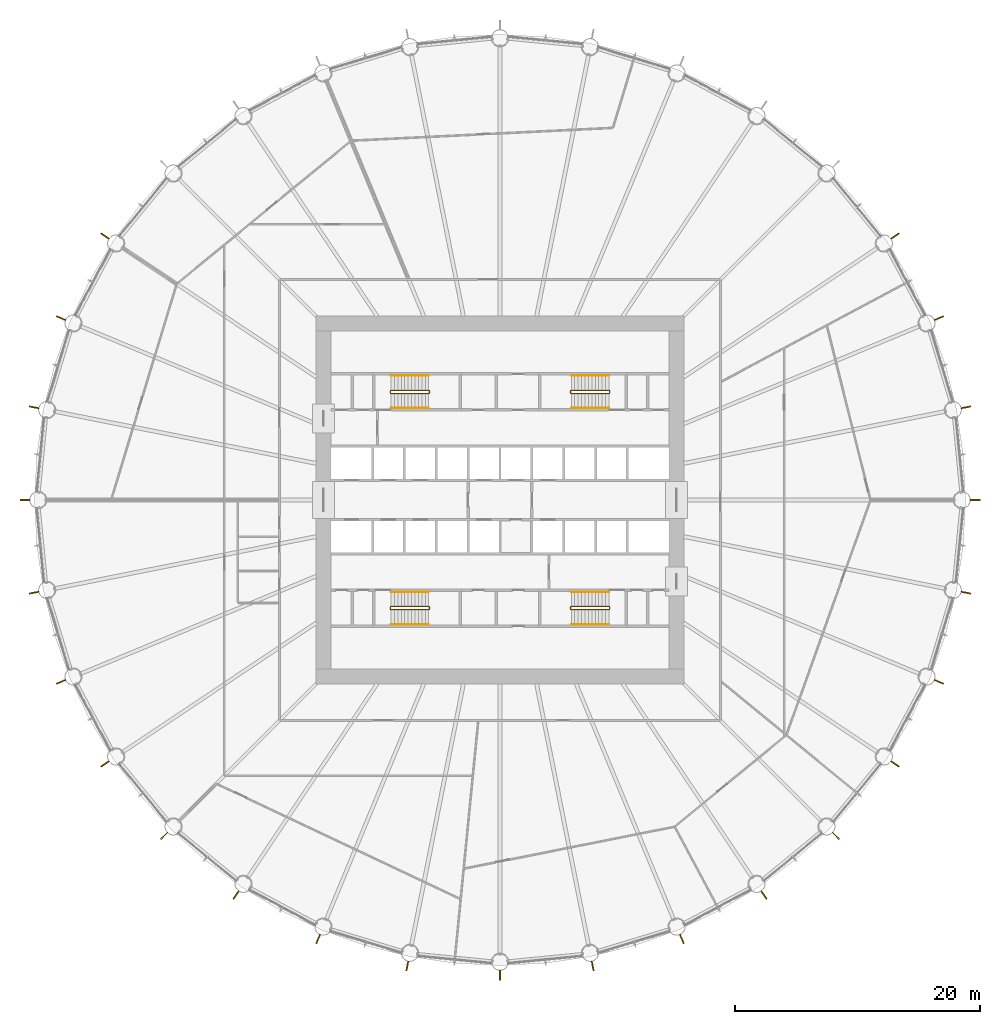
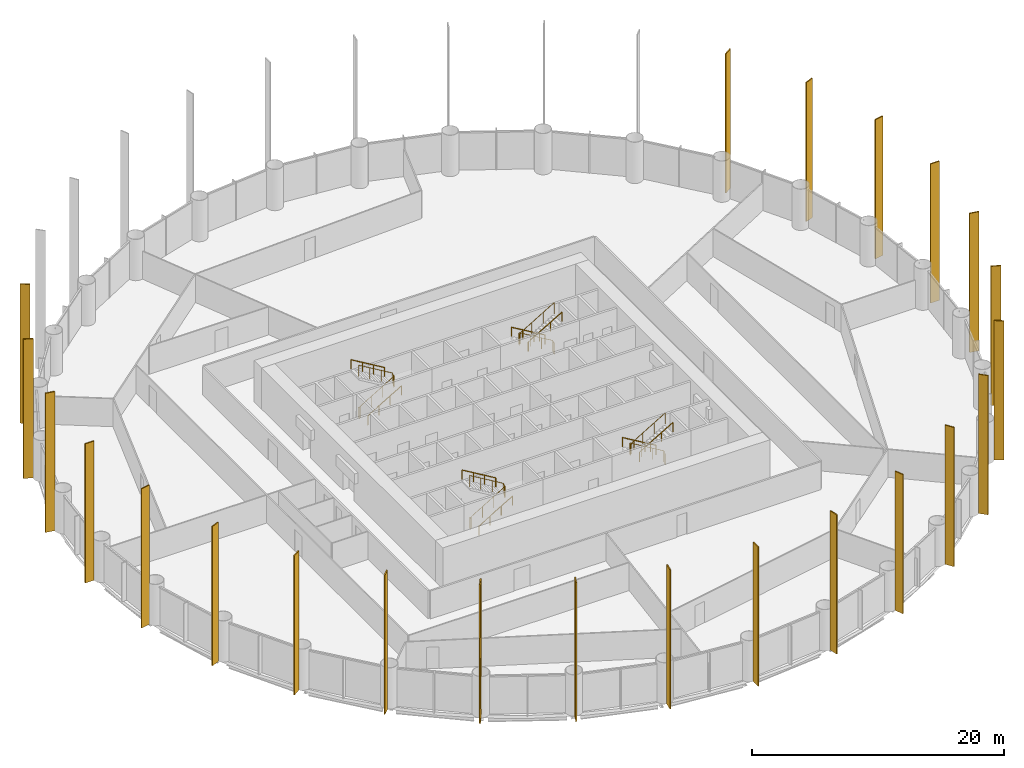
# One storey, part 13 of 14: 23 shading devices, 12 railings.
"""IFC4 building model written with IfcOpenShell, lengths in metres."""

from ifc_helpers import new_model, si_unit, direction, frame, origin, origin_2d, place, context, subcontext, project, spatial, rectangle, circle, extrude, material, material_profile, profile_set, type_object, element, save


model = new_model("IFC4")

# Units and contexts
model_context = context("Model", 3, precision=1e-05, world=origin(), true_north=direction((0.0, 1.0)))
body_context = subcontext(model_context, "Body", "Model", "MODEL_VIEW")
ifc_project = project(units=[si_unit("LENGTHUNIT", "METRE"), si_unit("AREAUNIT", "SQUARE_METRE"), si_unit("VOLUMEUNIT", "CUBIC_METRE"), si_unit("PLANEANGLEUNIT", "RADIAN"), si_unit("MASSUNIT", "GRAM", prefix="KILO")], contexts=[model_context])

# Site, building, storey
site_placement = place(None, origin())
site = spatial("IfcSite", under=ifc_project, at=site_placement, CompositionType="ELEMENT")
building_placement = place(site_placement, origin())
building = spatial("IfcBuilding", under=site, at=building_placement, Name="Corvane Civic Tower", CompositionType="ELEMENT")
storey_placement = place(building_placement, frame((0.0, 0.0, 77.0)))
storey = spatial("IfcBuildingStorey", under=building, at=storey_placement, Name="L17", CompositionType="ELEMENT", Elevation=77.0)

# Railings
ifc_material_1 = material(Name="Steel ASTM A572 Gr 50", Category="steel")
railing_type_1 = type_object("IfcRailingType", Name="ST-GUARD-1100", PredefinedType="GUARDRAIL", material=ifc_material_1)
railing_1_placement = place(storey_placement, frame((8.949951171875, 8.75, 0.0)))
element("IfcRailing", 1, at=railing_1_placement, inside=storey, type_object=railing_type_1, Name="L17 ST1 stair guard 1", PredefinedType="GUARDRAIL", context=body_context, shape_type="SweptSolid", body=[
    extrude(circle(Radius=0.02392578125, at=origin_2d()), frame((0.0, 0.0, 1.076171875), z_axis=(0.0, 1.0, 0.0), x_axis=(-1.0, 0.0, 0.0)), (0.0, 0.0, 1.0), 0.14990234375),
    extrude(circle(Radius=0.02392578125, at=origin_2d()), frame((0.0, 0.14990234375, 1.076171875), z_axis=(-0.27628659633, 0.27628659633, 0.920506074601), x_axis=(-0.707106781187, -0.707106781187, 0.0)), (0.0, 0.0, 1.0), 0.18115234375),
    extrude(circle(Radius=0.02392578125, at=origin_2d()), frame((-0.050048828125, 0.199951171875, 1.24267578125), z_axis=(-0.859290745958, 0.0, 0.51148745235), x_axis=(0.0, -1.0, 0.0)), (0.0, 0.0, 1.0), 3.584228515625),
    extrude(circle(Radius=0.02392578125, at=origin_2d()), frame((-3.1298828125, 0.199951171875, 3.076171875), z_axis=(-0.707106781187, -0.707106781187, 0.0), x_axis=(0.707106781187, -0.707106781187, 0.0)), (0.0, 0.0, 1.0), 0.07080078125),
    extrude(circle(Radius=0.02392578125, at=origin_2d()), frame((-3.179931640625, 0.14990234375, 3.076171875), z_axis=(0.0, -1.0, 0.0), x_axis=(1.0, 0.0, 0.0)), (0.0, 0.0, 1.0), 0.14990234375),
    extrude(circle(Radius=0.02392578125, at=origin_2d()), frame((-3.179931640625, 0.0, 3.076171875), z_axis=(0.27628659633, -0.27628659633, 0.920506074601), x_axis=(0.707106781187, 0.707106781187, 0.0)), (0.0, 0.0, 1.0), 0.18115234375),
    extrude(circle(Radius=0.02392578125, at=origin_2d()), frame((-3.1298828125, -0.050048828125, 3.24267578125), z_axis=(0.859290745958, 0.0, 0.51148745235), x_axis=(0.0, 1.0, 0.0)), (0.0, 0.0, 1.0), 3.584228515625),
    extrude(circle(Radius=0.02099609375, at=origin_2d()), origin(), (0.0, 0.0, 1.0), 1.052001953125),
    extrude(circle(Radius=0.02099609375, at=origin_2d()), frame((0.0, 0.14990234375, 0.0)), (0.0, 0.0, 1.0), 1.052001953125),
    extrude(circle(Radius=0.02099609375, at=origin_2d()), frame((-0.050048828125, 0.199951171875, 0.166748046875)), (0.0, 0.0, 1.0), 1.052001953125),
    extrude(circle(Radius=0.02099609375, at=origin_2d()), frame((-1.07666015625, 0.199951171875, 0.77783203125)), (0.0, 0.0, 1.0), 1.052001953125),
    extrude(circle(Radius=0.02099609375, at=origin_2d()), frame((-2.103271484375, 0.199951171875, 1.388916015625)), (0.0, 0.0, 1.0), 1.052001953125),
    extrude(circle(Radius=0.02099609375, at=origin_2d()), frame((-3.1298828125, 0.199951171875, 2.0)), (0.0, 0.0, 1.0), 1.052001953125),
    extrude(circle(Radius=0.02099609375, at=origin_2d()), frame((-3.179931640625, 0.14990234375, 2.0)), (0.0, 0.0, 1.0), 1.052001953125),
    extrude(circle(Radius=0.02099609375, at=origin_2d()), frame((-3.179931640625, 0.0, 2.0)), (0.0, 0.0, 1.0), 1.052001953125),
    extrude(circle(Radius=0.02099609375, at=origin_2d()), frame((-3.1298828125, -0.050048828125, 2.166748046875)), (0.0, 0.0, 1.0), 1.052001953125),
    extrude(circle(Radius=0.02099609375, at=origin_2d()), frame((-2.103271484375, -0.050048828125, 2.77783203125)), (0.0, 0.0, 1.0), 1.052001953125),
    extrude(circle(Radius=0.02099609375, at=origin_2d()), frame((-1.07666015625, -0.050048828125, 3.388916015625)), (0.0, 0.0, 1.0), 1.052001953125),
    extrude(circle(Radius=0.02099609375, at=origin_2d()), frame((-0.050048828125, -0.050048828125, 4.0)), (0.0, 0.0, 1.0), 1.052001953125),
])
railing_2_placement = place(storey_placement, frame((8.949951171875, -8.89990234375, 0.0)))
element("IfcRailing", 2, at=railing_2_placement, inside=storey, type_object=railing_type_1, Name="L17 ST2 stair guard 1", PredefinedType="GUARDRAIL", context=body_context, shape_type="SweptSolid", body=[
    extrude(circle(Radius=0.02392578125, at=origin_2d()), frame((0.0, 0.0, 1.076171875), z_axis=(0.0, 1.0, 0.0), x_axis=(-1.0, 0.0, 0.0)), (0.0, 0.0, 1.0), 0.14990234375),
    extrude(circle(Radius=0.02392578125, at=origin_2d()), frame((0.0, 0.14990234375, 1.076171875), z_axis=(-0.27628659633, 0.27628659633, 0.920506074601), x_axis=(-0.707106781187, -0.707106781187, 0.0)), (0.0, 0.0, 1.0), 0.18115234375),
    extrude(circle(Radius=0.02392578125, at=origin_2d()), frame((-0.050048828125, 0.199951171875, 1.24267578125), z_axis=(-0.859290745958, 0.0, 0.51148745235), x_axis=(0.0, -1.0, 0.0)), (0.0, 0.0, 1.0), 3.584228515625),
    extrude(circle(Radius=0.02392578125, at=origin_2d()), frame((-3.1298828125, 0.199951171875, 3.076171875), z_axis=(-0.707106781187, -0.707106781187, 0.0), x_axis=(0.707106781187, -0.707106781187, 0.0)), (0.0, 0.0, 1.0), 0.07080078125),
    extrude(circle(Radius=0.02392578125, at=origin_2d()), frame((-3.179931640625, 0.14990234375, 3.076171875), z_axis=(0.0, -1.0, 0.0), x_axis=(1.0, 0.0, 0.0)), (0.0, 0.0, 1.0), 0.14990234375),
    extrude(circle(Radius=0.02392578125, at=origin_2d()), frame((-3.179931640625, 0.0, 3.076171875), z_axis=(0.27628659633, -0.27628659633, 0.920506074601), x_axis=(0.707106781187, 0.707106781187, 0.0)), (0.0, 0.0, 1.0), 0.18115234375),
    extrude(circle(Radius=0.02392578125, at=origin_2d()), frame((-3.1298828125, -0.050048828125, 3.24267578125), z_axis=(0.859290745958, 0.0, 0.51148745235), x_axis=(0.0, 1.0, 0.0)), (0.0, 0.0, 1.0), 3.584228515625),
    extrude(circle(Radius=0.02099609375, at=origin_2d()), origin(), (0.0, 0.0, 1.0), 1.052001953125),
    extrude(circle(Radius=0.02099609375, at=origin_2d()), frame((0.0, 0.14990234375, 0.0)), (0.0, 0.0, 1.0), 1.052001953125),
    extrude(circle(Radius=0.02099609375, at=origin_2d()), frame((-0.050048828125, 0.199951171875, 0.166748046875)), (0.0, 0.0, 1.0), 1.052001953125),
    extrude(circle(Radius=0.02099609375, at=origin_2d()), frame((-1.07666015625, 0.199951171875, 0.77783203125)), (0.0, 0.0, 1.0), 1.052001953125),
    extrude(circle(Radius=0.02099609375, at=origin_2d()), frame((-2.103271484375, 0.199951171875, 1.388916015625)), (0.0, 0.0, 1.0), 1.052001953125),
    extrude(circle(Radius=0.02099609375, at=origin_2d()), frame((-3.1298828125, 0.199951171875, 2.0)), (0.0, 0.0, 1.0), 1.052001953125),
    extrude(circle(Radius=0.02099609375, at=origin_2d()), frame((-3.179931640625, 0.14990234375, 2.0)), (0.0, 0.0, 1.0), 1.052001953125),
    extrude(circle(Radius=0.02099609375, at=origin_2d()), frame((-3.179931640625, 0.0, 2.0)), (0.0, 0.0, 1.0), 1.052001953125),
    extrude(circle(Radius=0.02099609375, at=origin_2d()), frame((-3.1298828125, -0.050048828125, 2.166748046875)), (0.0, 0.0, 1.0), 1.052001953125),
    extrude(circle(Radius=0.02099609375, at=origin_2d()), frame((-2.103271484375, -0.050048828125, 2.77783203125)), (0.0, 0.0, 1.0), 1.052001953125),
    extrude(circle(Radius=0.02099609375, at=origin_2d()), frame((-1.07666015625, -0.050048828125, 3.388916015625)), (0.0, 0.0, 1.0), 1.052001953125),
    extrude(circle(Radius=0.02099609375, at=origin_2d()), frame((-0.050048828125, -0.050048828125, 4.0)), (0.0, 0.0, 1.0), 1.052001953125),
])
railing_3_placement = place(storey_placement, frame((-8.949951171875, -8.75, 0.0)))
element("IfcRailing", 3, at=railing_3_placement, inside=storey, type_object=railing_type_1, Name="L17 ST3 stair guard 1", PredefinedType="GUARDRAIL", context=body_context, shape_type="SweptSolid", body=[
    extrude(circle(Radius=0.02392578125, at=origin_2d()), frame((0.0, 0.0, 1.076171875), z_axis=(0.0, -1.0, 0.0), x_axis=(1.0, 0.0, 0.0)), (0.0, 0.0, 1.0), 0.14990234375),
    extrude(circle(Radius=0.02392578125, at=origin_2d()), frame((0.0, -0.14990234375, 1.076171875), z_axis=(0.27628659633, -0.27628659633, 0.920506074601), x_axis=(0.707106781187, 0.707106781187, 0.0)), (0.0, 0.0, 1.0), 0.18115234375),
    extrude(circle(Radius=0.02392578125, at=origin_2d()), frame((0.050048828125, -0.199951171875, 1.24267578125), z_axis=(0.859290745958, 0.0, 0.51148745235), x_axis=(0.0, 1.0, 0.0)), (0.0, 0.0, 1.0), 3.584228515625),
    extrude(circle(Radius=0.02392578125, at=origin_2d()), frame((3.1298828125, -0.199951171875, 3.076171875), z_axis=(0.707106781187, 0.707106781187, 0.0), x_axis=(-0.707106781187, 0.707106781187, 0.0)), (0.0, 0.0, 1.0), 0.07080078125),
    extrude(circle(Radius=0.02392578125, at=origin_2d()), frame((3.179931640625, -0.14990234375, 3.076171875), z_axis=(0.0, 1.0, 0.0), x_axis=(-1.0, 0.0, 0.0)), (0.0, 0.0, 1.0), 0.14990234375),
    extrude(circle(Radius=0.02392578125, at=origin_2d()), frame((3.179931640625, 0.0, 3.076171875), z_axis=(-0.27628659633, 0.27628659633, 0.920506074601), x_axis=(-0.707106781187, -0.707106781187, 0.0)), (0.0, 0.0, 1.0), 0.18115234375),
    extrude(circle(Radius=0.02392578125, at=origin_2d()), frame((3.1298828125, 0.050048828125, 3.24267578125), z_axis=(-0.859290745958, 0.0, 0.51148745235), x_axis=(0.0, -1.0, 0.0)), (0.0, 0.0, 1.0), 3.584228515625),
    extrude(circle(Radius=0.02099609375, at=origin_2d()), origin(), (0.0, 0.0, 1.0), 1.052001953125),
    extrude(circle(Radius=0.02099609375, at=origin_2d()), frame((0.0, -0.14990234375, 0.0)), (0.0, 0.0, 1.0), 1.052001953125),
    extrude(circle(Radius=0.02099609375, at=origin_2d()), frame((0.050048828125, -0.199951171875, 0.166748046875)), (0.0, 0.0, 1.0), 1.052001953125),
    extrude(circle(Radius=0.02099609375, at=origin_2d()), frame((1.07666015625, -0.199951171875, 0.77783203125)), (0.0, 0.0, 1.0), 1.052001953125),
    extrude(circle(Radius=0.02099609375, at=origin_2d()), frame((2.103271484375, -0.199951171875, 1.388916015625)), (0.0, 0.0, 1.0), 1.052001953125),
    extrude(circle(Radius=0.02099609375, at=origin_2d()), frame((3.1298828125, -0.199951171875, 2.0)), (0.0, 0.0, 1.0), 1.052001953125),
    extrude(circle(Radius=0.02099609375, at=origin_2d()), frame((3.179931640625, -0.14990234375, 2.0)), (0.0, 0.0, 1.0), 1.052001953125),
    extrude(circle(Radius=0.02099609375, at=origin_2d()), frame((3.179931640625, 0.0, 2.0)), (0.0, 0.0, 1.0), 1.052001953125),
    extrude(circle(Radius=0.02099609375, at=origin_2d()), frame((3.1298828125, 0.050048828125, 2.166748046875)), (0.0, 0.0, 1.0), 1.052001953125),
    extrude(circle(Radius=0.02099609375, at=origin_2d()), frame((2.103271484375, 0.050048828125, 2.77783203125)), (0.0, 0.0, 1.0), 1.052001953125),
    extrude(circle(Radius=0.02099609375, at=origin_2d()), frame((1.07666015625, 0.050048828125, 3.388916015625)), (0.0, 0.0, 1.0), 1.052001953125),
    extrude(circle(Radius=0.02099609375, at=origin_2d()), frame((0.050048828125, 0.050048828125, 4.0)), (0.0, 0.0, 1.0), 1.052001953125),
])
railing_4_placement = place(storey_placement, frame((-8.949951171875, 8.89990234375, 0.0)))
element("IfcRailing", 4, at=railing_4_placement, inside=storey, type_object=railing_type_1, Name="L17 ST4 stair guard 1", PredefinedType="GUARDRAIL", context=body_context, shape_type="SweptSolid", body=[
    extrude(circle(Radius=0.02392578125, at=origin_2d()), frame((0.0, 0.0, 1.076171875), z_axis=(0.0, -1.0, 0.0), x_axis=(1.0, 0.0, 0.0)), (0.0, 0.0, 1.0), 0.14990234375),
    extrude(circle(Radius=0.02392578125, at=origin_2d()), frame((0.0, -0.14990234375, 1.076171875), z_axis=(0.27628659633, -0.27628659633, 0.920506074601), x_axis=(0.707106781187, 0.707106781187, 0.0)), (0.0, 0.0, 1.0), 0.18115234375),
    extrude(circle(Radius=0.02392578125, at=origin_2d()), frame((0.050048828125, -0.199951171875, 1.24267578125), z_axis=(0.859290745958, 0.0, 0.51148745235), x_axis=(0.0, 1.0, 0.0)), (0.0, 0.0, 1.0), 3.584228515625),
    extrude(circle(Radius=0.02392578125, at=origin_2d()), frame((3.1298828125, -0.199951171875, 3.076171875), z_axis=(0.707106781187, 0.707106781187, 0.0), x_axis=(-0.707106781187, 0.707106781187, 0.0)), (0.0, 0.0, 1.0), 0.07080078125),
    extrude(circle(Radius=0.02392578125, at=origin_2d()), frame((3.179931640625, -0.14990234375, 3.076171875), z_axis=(0.0, 1.0, 0.0), x_axis=(-1.0, 0.0, 0.0)), (0.0, 0.0, 1.0), 0.14990234375),
    extrude(circle(Radius=0.02392578125, at=origin_2d()), frame((3.179931640625, 0.0, 3.076171875), z_axis=(-0.27628659633, 0.27628659633, 0.920506074601), x_axis=(-0.707106781187, -0.707106781187, 0.0)), (0.0, 0.0, 1.0), 0.18115234375),
    extrude(circle(Radius=0.02392578125, at=origin_2d()), frame((3.1298828125, 0.050048828125, 3.24267578125), z_axis=(-0.859290745958, 0.0, 0.51148745235), x_axis=(0.0, -1.0, 0.0)), (0.0, 0.0, 1.0), 3.584228515625),
    extrude(circle(Radius=0.02099609375, at=origin_2d()), origin(), (0.0, 0.0, 1.0), 1.052001953125),
    extrude(circle(Radius=0.02099609375, at=origin_2d()), frame((0.0, -0.14990234375, 0.0)), (0.0, 0.0, 1.0), 1.052001953125),
    extrude(circle(Radius=0.02099609375, at=origin_2d()), frame((0.050048828125, -0.199951171875, 0.166748046875)), (0.0, 0.0, 1.0), 1.052001953125),
    extrude(circle(Radius=0.02099609375, at=origin_2d()), frame((1.07666015625, -0.199951171875, 0.77783203125)), (0.0, 0.0, 1.0), 1.052001953125),
    extrude(circle(Radius=0.02099609375, at=origin_2d()), frame((2.103271484375, -0.199951171875, 1.388916015625)), (0.0, 0.0, 1.0), 1.052001953125),
    extrude(circle(Radius=0.02099609375, at=origin_2d()), frame((3.1298828125, -0.199951171875, 2.0)), (0.0, 0.0, 1.0), 1.052001953125),
    extrude(circle(Radius=0.02099609375, at=origin_2d()), frame((3.179931640625, -0.14990234375, 2.0)), (0.0, 0.0, 1.0), 1.052001953125),
    extrude(circle(Radius=0.02099609375, at=origin_2d()), frame((3.179931640625, 0.0, 2.0)), (0.0, 0.0, 1.0), 1.052001953125),
    extrude(circle(Radius=0.02099609375, at=origin_2d()), frame((3.1298828125, 0.050048828125, 2.166748046875)), (0.0, 0.0, 1.0), 1.052001953125),
    extrude(circle(Radius=0.02099609375, at=origin_2d()), frame((2.103271484375, 0.050048828125, 2.77783203125)), (0.0, 0.0, 1.0), 1.052001953125),
    extrude(circle(Radius=0.02099609375, at=origin_2d()), frame((1.07666015625, 0.050048828125, 3.388916015625)), (0.0, 0.0, 1.0), 1.052001953125),
    extrude(circle(Radius=0.02099609375, at=origin_2d()), frame((0.050048828125, 0.050048828125, 4.0)), (0.0, 0.0, 1.0), 1.052001953125),
])
ifc_material_2 = material(Name="Steel ASTM A572 Gr 50", Category="steel")
railing_type_2 = type_object("IfcRailingType", Name="ST-HANDRAIL-900", PredefinedType="HANDRAIL", material=ifc_material_2)
railing_5_placement = place(storey_placement, frame((8.89990234375, 10.14990234375, 0.166748046875)))
element("IfcRailing", 5, at=railing_5_placement, inside=storey, type_object=railing_type_2, Name="L17 ST1 stair handrail 1", PredefinedType="HANDRAIL", context=body_context, shape_type="SweptSolid", body=[
    extrude(circle(Radius=0.02392578125, at=origin_2d()), frame((0.0, 0.0, 0.8759765625), z_axis=(-0.859290745958, 0.0, 0.51148745235), x_axis=(0.0, -1.0, 0.0)), (0.0, 0.0, 1.0), 3.584228515625),
    extrude(circle(Radius=0.02099609375, at=origin_2d()), origin(), (0.0, 0.0, 1.0), 0.851806640625),
    extrude(circle(Radius=0.02099609375, at=origin_2d()), frame((-1.026611328125, 0.0, 0.611083984375)), (0.0, 0.0, 1.0), 0.851806640625),
    extrude(circle(Radius=0.02099609375, at=origin_2d()), frame((-2.05322265625, 0.0, 1.22216796875)), (0.0, 0.0, 1.0), 0.851806640625),
    extrude(circle(Radius=0.02099609375, at=origin_2d()), frame((-3.079833984375, 0.0, 1.833251953125)), (0.0, 0.0, 1.0), 0.851806640625),
])
railing_6_placement = place(storey_placement, frame((5.820068359375, 7.5, 2.166748046875)))
element("IfcRailing", 6, at=railing_6_placement, inside=storey, type_object=railing_type_2, Name="L17 ST1 stair handrail 2", PredefinedType="HANDRAIL", context=body_context, shape_type="SweptSolid", body=[
    extrude(circle(Radius=0.02392578125, at=origin_2d()), frame((0.0, 0.0, 0.8759765625), z_axis=(0.859290745958, 0.0, 0.51148745235), x_axis=(0.0, 1.0, 0.0)), (0.0, 0.0, 1.0), 3.584228515625),
    extrude(circle(Radius=0.02099609375, at=origin_2d()), origin(), (0.0, 0.0, 1.0), 0.851806640625),
    extrude(circle(Radius=0.02099609375, at=origin_2d()), frame((1.026611328125, 0.0, 0.611083984375)), (0.0, 0.0, 1.0), 0.851806640625),
    extrude(circle(Radius=0.02099609375, at=origin_2d()), frame((2.05322265625, 0.0, 1.22216796875)), (0.0, 0.0, 1.0), 0.851806640625),
    extrude(circle(Radius=0.02099609375, at=origin_2d()), frame((3.079833984375, 0.0, 1.833251953125)), (0.0, 0.0, 1.0), 0.851806640625),
])
railing_7_placement = place(storey_placement, frame((8.89990234375, -7.5, 0.166748046875)))
element("IfcRailing", 7, at=railing_7_placement, inside=storey, type_object=railing_type_2, Name="L17 ST2 stair handrail 1", PredefinedType="HANDRAIL", context=body_context, shape_type="SweptSolid", body=[
    extrude(circle(Radius=0.02392578125, at=origin_2d()), frame((0.0, 0.0, 0.8759765625), z_axis=(-0.859290745958, 0.0, 0.51148745235), x_axis=(0.0, -1.0, 0.0)), (0.0, 0.0, 1.0), 3.584228515625),
    extrude(circle(Radius=0.02099609375, at=origin_2d()), origin(), (0.0, 0.0, 1.0), 0.851806640625),
    extrude(circle(Radius=0.02099609375, at=origin_2d()), frame((-1.026611328125, 0.0, 0.611083984375)), (0.0, 0.0, 1.0), 0.851806640625),
    extrude(circle(Radius=0.02099609375, at=origin_2d()), frame((-2.05322265625, 0.0, 1.22216796875)), (0.0, 0.0, 1.0), 0.851806640625),
    extrude(circle(Radius=0.02099609375, at=origin_2d()), frame((-3.079833984375, 0.0, 1.833251953125)), (0.0, 0.0, 1.0), 0.851806640625),
])
for number, where, name in (
    (8, (5.820068359375, -10.14990234375, 2.166748046875), "L17 ST2 stair handrail 2"),
    (9, (-8.89990234375, -10.14990234375, 0.166748046875), "L17 ST3 stair handrail 1"),
):
    element("IfcRailing", number, at=place(storey_placement, frame(where)), inside=storey, type_object=railing_type_2, Name=name, PredefinedType="HANDRAIL", context=body_context, shape_type="SweptSolid", body=[
        extrude(circle(Radius=0.02392578125, at=origin_2d()), frame((0.0, 0.0, 0.8759765625), z_axis=(0.859290745958, 0.0, 0.51148745235), x_axis=(0.0, 1.0, 0.0)), (0.0, 0.0, 1.0), 3.584228515625),
        extrude(circle(Radius=0.02099609375, at=origin_2d()), origin(), (0.0, 0.0, 1.0), 0.851806640625),
        extrude(circle(Radius=0.02099609375, at=origin_2d()), frame((1.026611328125, 0.0, 0.611083984375)), (0.0, 0.0, 1.0), 0.851806640625),
        extrude(circle(Radius=0.02099609375, at=origin_2d()), frame((2.05322265625, 0.0, 1.22216796875)), (0.0, 0.0, 1.0), 0.851806640625),
        extrude(circle(Radius=0.02099609375, at=origin_2d()), frame((3.079833984375, 0.0, 1.833251953125)), (0.0, 0.0, 1.0), 0.851806640625),
    ])
railing_8_placement = place(storey_placement, frame((-5.820068359375, -7.5, 2.166748046875)))
element("IfcRailing", 10, at=railing_8_placement, inside=storey, type_object=railing_type_2, Name="L17 ST3 stair handrail 2", PredefinedType="HANDRAIL", context=body_context, shape_type="SweptSolid", body=[
    extrude(circle(Radius=0.02392578125, at=origin_2d()), frame((0.0, 0.0, 0.8759765625), z_axis=(-0.859290745958, 0.0, 0.51148745235), x_axis=(0.0, -1.0, 0.0)), (0.0, 0.0, 1.0), 3.584228515625),
    extrude(circle(Radius=0.02099609375, at=origin_2d()), origin(), (0.0, 0.0, 1.0), 0.851806640625),
    extrude(circle(Radius=0.02099609375, at=origin_2d()), frame((-1.026611328125, 0.0, 0.611083984375)), (0.0, 0.0, 1.0), 0.851806640625),
    extrude(circle(Radius=0.02099609375, at=origin_2d()), frame((-2.05322265625, 0.0, 1.22216796875)), (0.0, 0.0, 1.0), 0.851806640625),
    extrude(circle(Radius=0.02099609375, at=origin_2d()), frame((-3.079833984375, 0.0, 1.833251953125)), (0.0, 0.0, 1.0), 0.851806640625),
])
railing_9_placement = place(storey_placement, frame((-8.89990234375, 7.5, 0.166748046875)))
element("IfcRailing", 11, at=railing_9_placement, inside=storey, type_object=railing_type_2, Name="L17 ST4 stair handrail 1", PredefinedType="HANDRAIL", context=body_context, shape_type="SweptSolid", body=[
    extrude(circle(Radius=0.02392578125, at=origin_2d()), frame((0.0, 0.0, 0.8759765625), z_axis=(0.859290745958, 0.0, 0.51148745235), x_axis=(0.0, 1.0, 0.0)), (0.0, 0.0, 1.0), 3.584228515625),
    extrude(circle(Radius=0.02099609375, at=origin_2d()), origin(), (0.0, 0.0, 1.0), 0.851806640625),
    extrude(circle(Radius=0.02099609375, at=origin_2d()), frame((1.026611328125, 0.0, 0.611083984375)), (0.0, 0.0, 1.0), 0.851806640625),
    extrude(circle(Radius=0.02099609375, at=origin_2d()), frame((2.05322265625, 0.0, 1.22216796875)), (0.0, 0.0, 1.0), 0.851806640625),
    extrude(circle(Radius=0.02099609375, at=origin_2d()), frame((3.079833984375, 0.0, 1.833251953125)), (0.0, 0.0, 1.0), 0.851806640625),
])
railing_10_placement = place(storey_placement, frame((-5.820068359375, 10.14990234375, 2.166748046875)))
element("IfcRailing", 12, at=railing_10_placement, inside=storey, type_object=railing_type_2, Name="L17 ST4 stair handrail 2", PredefinedType="HANDRAIL", context=body_context, shape_type="SweptSolid", body=[
    extrude(circle(Radius=0.02392578125, at=origin_2d()), frame((0.0, 0.0, 0.8759765625), z_axis=(-0.859290745958, 0.0, 0.51148745235), x_axis=(0.0, -1.0, 0.0)), (0.0, 0.0, 1.0), 3.584228515625),
    extrude(circle(Radius=0.02099609375, at=origin_2d()), origin(), (0.0, 0.0, 1.0), 0.851806640625),
    extrude(circle(Radius=0.02099609375, at=origin_2d()), frame((-1.026611328125, 0.0, 0.611083984375)), (0.0, 0.0, 1.0), 0.851806640625),
    extrude(circle(Radius=0.02099609375, at=origin_2d()), frame((-2.05322265625, 0.0, 1.22216796875)), (0.0, 0.0, 1.0), 0.851806640625),
    extrude(circle(Radius=0.02099609375, at=origin_2d()), frame((-3.079833984375, 0.0, 1.833251953125)), (0.0, 0.0, 1.0), 0.851806640625),
])

# Shading devices
ifc_material_3 = material(Name="Anodised aluminium bronze", Category="aluminium")
ifc_material_profile = material_profile(ifc_material_3, rectangle(XDim=0.10009765625, YDim=0.800048828125, at=origin_2d()), Name="TOWER FIN STACK 100x800 BRONZE")
ifc_profile_set = profile_set([ifc_material_profile], Name="Anodised aluminium bronze")
shading_device_type = type_object("IfcShadingDeviceType", Name="TOWER FIN STACK 100x800 BRONZE", PredefinedType="USERDEFINED", material=ifc_profile_set)
for number, where, z_axis, x_axis, name in (
    (13, (32.244384765625, 21.544921875, 0.0), (0.0, 0.0, 1.0), (0.55557023302, -0.831469612303, 0.0), "Fin 06 L17 to L19"),
    (14, (35.828125, 14.840576171875, 0.0), (0.0, 0.0, 1.0), (0.382683432365, -0.923879532511, 0.0), "Fin 07 L17 to L19"),
    (15, (38.034912109375, 7.565673828125, 0.0), (0.0, 0.0, 1.0), (0.195090322016, -0.980785280403, 0.0), "Fin 08 L17 to L19"),
    (16, (38.780029296875, 0.0, 0.0), (0.0, 0.0, 1.0), (0.0, -1.0, 0.0), "Fin 09 L17 to L19"),
    (17, (38.034912109375, -7.565673828125, 0.0), (0.0, 0.0, 1.0), (-0.195090322016, -0.980785280403, 0.0), "Fin 10 L17 to L19"),
    (18, (35.828125, -14.840576171875, 0.0), (0.0, 0.0, 1.0), (-0.382683432365, -0.923879532511, 0.0), "Fin 11 L17 to L19"),
    (19, (32.244384765625, -21.544921875, 0.0), (0.0, 0.0, 1.0), (-0.55557023302, -0.831469612303, 0.0), "Fin 12 L17 to L19"),
    (20, (27.421630859375, -27.421630859375, 0.0), (0.0, 0.0, 1.0), (-0.707106781187, -0.707106781187, 0.0), "Fin 13 L17 to L19"),
    (21, (21.544921875, -32.244384765625, 0.0), (0.0, 0.0, 1.0), (-0.831469612303, -0.55557023302, 0.0), "Fin 14 L17 to L19"),
    (22, (14.840576171875, -35.828125, 0.0), (0.0, 0.0, 1.0), (-0.923879532511, -0.382683432365, 0.0), "Fin 15 L17 to L19"),
    (23, (7.565673828125, -38.034912109375, 0.0), (0.0, 0.0, 1.0), (-0.980785280403, -0.195090322016, 0.0), "Fin 16 L17 to L19"),
    (24, (0.0, -38.780029296875, 0.0), (0.0, 0.0, 1.0), (-1.0, 0.0, 0.0), "Fin 17 L17 to L19"),
    (25, (-7.565673828125, -38.034912109375, 0.0), (0.0, 0.0, 1.0), (-0.980785280403, 0.195090322016, 0.0), "Fin 18 L17 to L19"),
    (26, (-14.840576171875, -35.828125, 0.0), (0.0, 0.0, 1.0), (-0.923879532511, 0.382683432365, 0.0), "Fin 19 L17 to L19"),
    (27, (-21.544921875, -32.244384765625, 0.0), (0.0, 0.0, 1.0), (-0.831469612303, 0.55557023302, 0.0), "Fin 20 L17 to L19"),
    (28, (-27.421630859375, -27.421630859375, 0.0), (0.0, 0.0, 1.0), (-0.707106781187, 0.707106781187, 0.0), "Fin 21 L17 to L19"),
    (29, (-32.244384765625, -21.544921875, 0.0), (0.0, 0.0, 1.0), (-0.55557023302, 0.831469612303, 0.0), "Fin 22 L17 to L19"),
    (30, (-35.828125, -14.840576171875, 0.0), (0.0, 0.0, 1.0), (-0.382683432365, 0.923879532511, 0.0), "Fin 23 L17 to L19"),
    (31, (-38.034912109375, -7.565673828125, 0.0), (0.0, 0.0, 1.0), (-0.195090322016, 0.980785280403, 0.0), "Fin 24 L17 to L19"),
    (32, (-38.780029296875, 0.0, 0.0), (0.0, 0.0, 1.0), (0.0, 1.0, 0.0), "Fin 25 L17 to L19"),
    (33, (-38.034912109375, 7.565673828125, 0.0), (0.0, 0.0, 1.0), (0.195090322016, 0.980785280403, 0.0), "Fin 26 L17 to L19"),
    (34, (-35.828125, 14.840576171875, 0.0), (0.0, 0.0, 1.0), (0.382683432365, 0.923879532511, 0.0), "Fin 27 L17 to L19"),
    (35, (-32.244384765625, 21.544921875, 0.0), (0.0, 0.0, 1.0), (0.55557023302, 0.831469612303, 0.0), "Fin 28 L17 to L19"),
):
    element("IfcShadingDevice", number, at=place(storey_placement, frame(where, z_axis=z_axis, x_axis=x_axis)), inside=storey, type_object=shading_device_type, Name=name, ObjectType="FIN", PredefinedType="USERDEFINED", context=body_context, shape_type="SweptSolid", body=[
        extrude(rectangle(XDim=0.10009765625, YDim=0.800048828125, at=origin_2d()), origin(), (0.0, 0.0, 1.0), 13.5),
    ])

save(model, "model.ifc")
